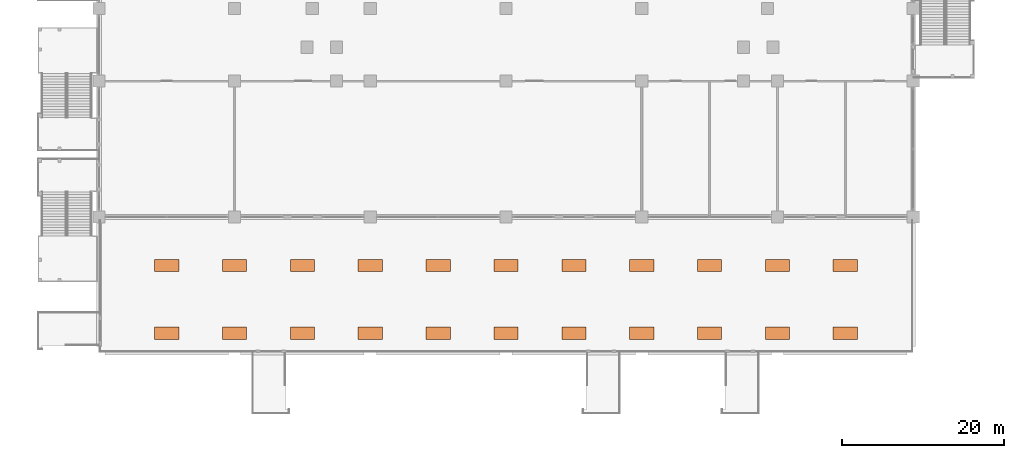
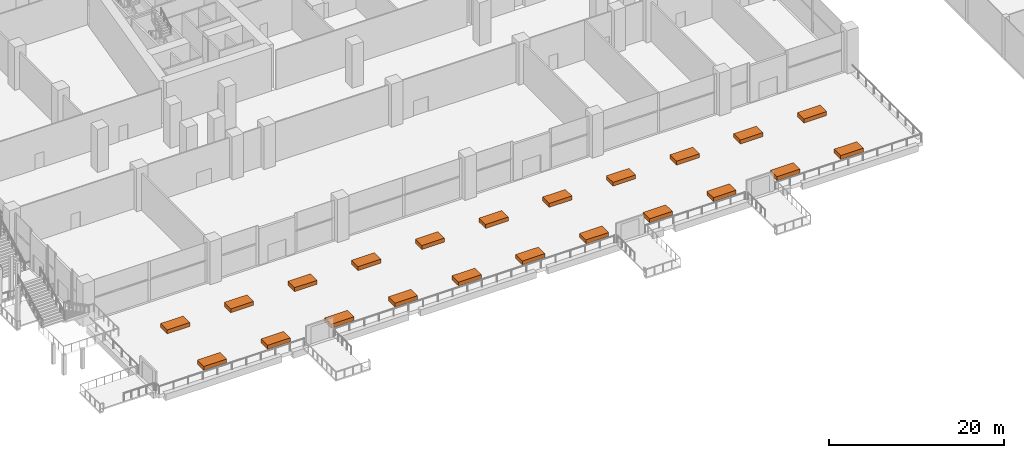
# One storey, part 47 of 47: 22 proxies.
"""IFC4 building model written with IfcOpenShell, lengths in metres."""

from ifc_helpers import new_model, si_unit, direction, frame, origin, origin_2d, place, context, subcontext, project, spatial, rectangle, extrude, element, save


model = new_model("IFC4")

# Units and contexts
model_context = context("Model", 3, precision=1e-05, world=origin(), true_north=direction((0.0, 1.0)))
body_context = subcontext(model_context, "Body", "Model", "MODEL_VIEW")
ifc_project = project(units=[si_unit("LENGTHUNIT", "METRE"), si_unit("AREAUNIT", "SQUARE_METRE"), si_unit("VOLUMEUNIT", "CUBIC_METRE"), si_unit("PLANEANGLEUNIT", "RADIAN"), si_unit("MASSUNIT", "GRAM", prefix="KILO")], contexts=[model_context])

# Site, building, storey
site_placement = place(None, origin())
site = spatial("IfcSite", under=ifc_project, at=site_placement, CompositionType="ELEMENT")
building_placement = place(site_placement, origin())
building = spatial("IfcBuilding", under=site, at=building_placement, Name="Candeia Pilgrim Tower and Theatre", CompositionType="ELEMENT")
storey_placement = place(building_placement, frame((0.0, 0.0, 23.0)))
storey = spatial("IfcBuildingStorey", under=building, at=storey_placement, Name="L03", CompositionType="ELEMENT", Elevation=23.0)

# Proxies
for number, where, z_axis, x_axis, name in (
    (1, (67.199951171875, 66.800048828125, 0.0), (0.0, 0.0, 1.0), (1.0, 0.0, 0.0), "Planter"),
    (2, (75.60009765625, 66.800048828125, 0.0), (0.0, 0.0, 1.0), (1.0, 0.0, 0.0), "Planter"),
    (3, (84.0, 66.800048828125, 0.0), (0.0, 0.0, 1.0), (1.0, 0.0, 0.0), "Planter"),
    (4, (92.39990234375, 66.800048828125, 0.0), (0.0, 0.0, 1.0), (1.0, 0.0, 0.0), "Planter"),
    (5, (100.800048828125, 66.800048828125, 0.0), (0.0, 0.0, 1.0), (1.0, 0.0, 0.0), "Planter"),
    (6, (109.199951171875, 66.800048828125, 0.0), (0.0, 0.0, 1.0), (1.0, 0.0, 0.0), "Planter"),
    (7, (117.60009765625, 66.800048828125, 0.0), (0.0, 0.0, 1.0), (1.0, 0.0, 0.0), "Planter"),
    (8, (126.0, 66.800048828125, 0.0), (0.0, 0.0, 1.0), (1.0, 0.0, 0.0), "Planter"),
    (9, (134.39990234375, 66.800048828125, 0.0), (0.0, 0.0, 1.0), (1.0, 0.0, 0.0), "Planter"),
    (10, (142.800048828125, 66.800048828125, 0.0), (0.0, 0.0, 1.0), (1.0, 0.0, 0.0), "Planter"),
    (11, (151.199951171875, 66.800048828125, 0.0), (0.0, 0.0, 1.0), (1.0, 0.0, 0.0), "Planter"),
    (12, (67.199951171875, 75.199951171875, 0.0), (0.0, 0.0, 1.0), (1.0, 0.0, 0.0), "Planter"),
    (13, (75.60009765625, 75.199951171875, 0.0), (0.0, 0.0, 1.0), (1.0, 0.0, 0.0), "Planter"),
    (14, (84.0, 75.199951171875, 0.0), (0.0, 0.0, 1.0), (1.0, 0.0, 0.0), "Planter"),
    (15, (92.39990234375, 75.199951171875, 0.0), (0.0, 0.0, 1.0), (1.0, 0.0, 0.0), "Planter"),
    (16, (100.800048828125, 75.199951171875, 0.0), (0.0, 0.0, 1.0), (1.0, 0.0, 0.0), "Planter"),
    (17, (109.199951171875, 75.199951171875, 0.0), (0.0, 0.0, 1.0), (1.0, 0.0, 0.0), "Planter"),
    (18, (117.60009765625, 75.199951171875, 0.0), (0.0, 0.0, 1.0), (1.0, 0.0, 0.0), "Planter"),
    (19, (126.0, 75.199951171875, 0.0), (0.0, 0.0, 1.0), (1.0, 0.0, 0.0), "Planter"),
    (20, (134.39990234375, 75.199951171875, 0.0), (0.0, 0.0, 1.0), (1.0, 0.0, 0.0), "Planter"),
    (21, (142.800048828125, 75.199951171875, 0.0), (0.0, 0.0, 1.0), (1.0, 0.0, 0.0), "Planter"),
    (22, (151.199951171875, 75.199951171875, 0.0), (0.0, 0.0, 1.0), (1.0, 0.0, 0.0), "Planter"),
):
    element("IfcBuildingElementProxy", number, at=place(storey_placement, frame(where, z_axis=z_axis, x_axis=x_axis)), inside=storey, Name=name, ObjectType="PLANTER", PredefinedType="USERDEFINED", context=body_context, shape_type="SweptSolid", body=[
        extrude(rectangle(XDim=3.0, YDim=1.5, at=origin_2d()), origin(), (0.0, 0.0, 1.0), 0.550048828125),
    ])

save(model, "model.ifc")
